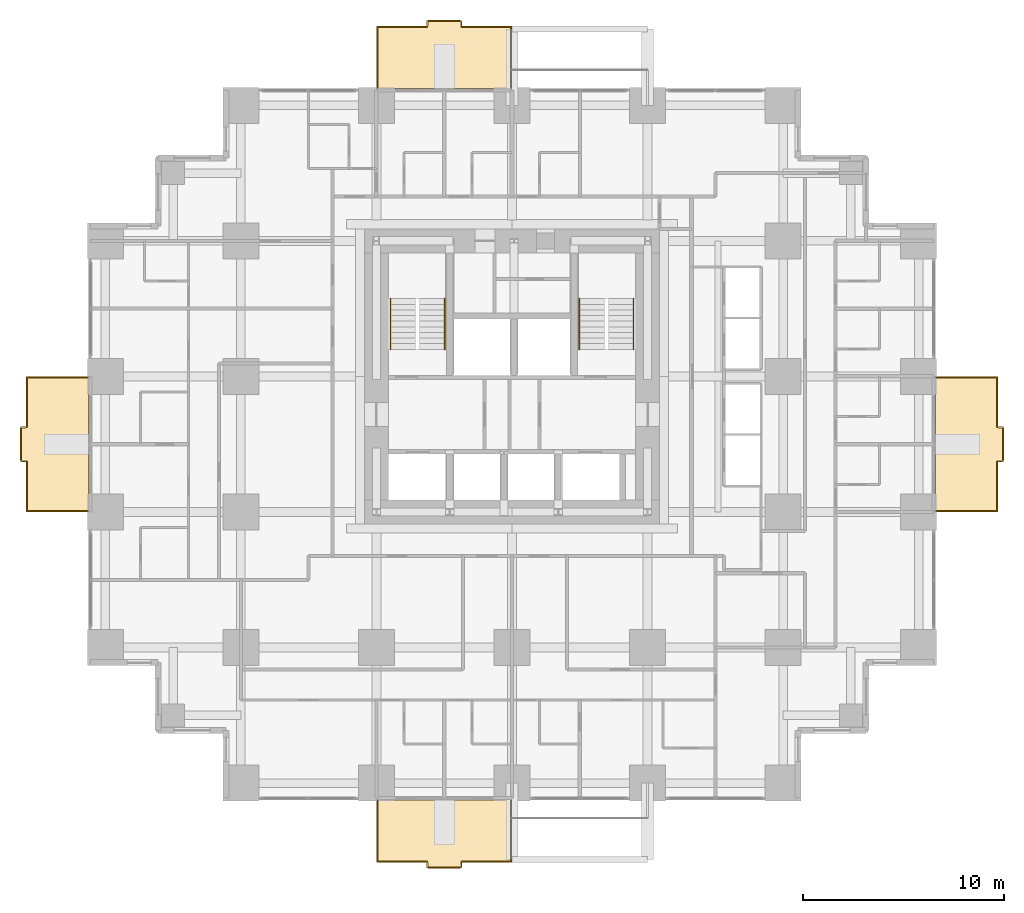
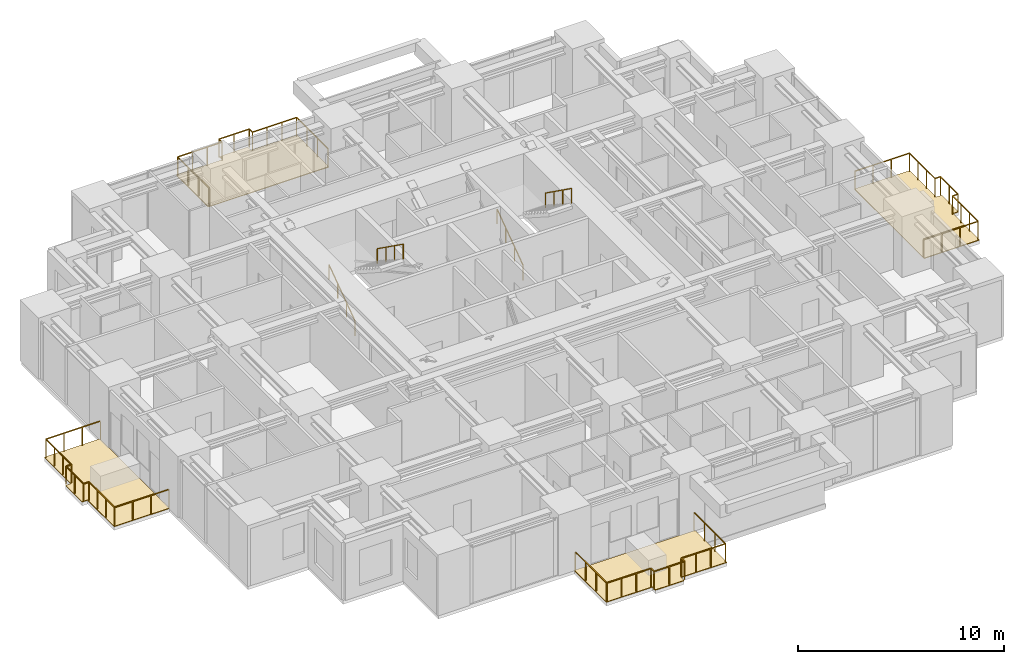
# One storey, part 13 of 13: 8 railings, 4 coverings.
"""IFC4 building model written with IfcOpenShell, lengths in metres."""

from ifc_helpers import new_model, si_unit, direction, frame, origin, origin_2d, place, context, subcontext, project, spatial, polyline, rectangle, outline, extrude, material, layer, layer_set, type_object, element, save


model = new_model("IFC4")

# Units and contexts
model_context = context("Model", 3, precision=1e-05, world=origin(), true_north=direction((0.0, 1.0)))
body_context = subcontext(model_context, "Body", "Model", "MODEL_VIEW")
ifc_project = project(units=[si_unit("LENGTHUNIT", "METRE"), si_unit("AREAUNIT", "SQUARE_METRE"), si_unit("VOLUMEUNIT", "CUBIC_METRE"), si_unit("PLANEANGLEUNIT", "RADIAN"), si_unit("MASSUNIT", "GRAM", prefix="KILO")], contexts=[model_context])

# Site, building, storey
site_placement = place(None, origin())
site = spatial("IfcSite", under=ifc_project, at=site_placement, CompositionType="ELEMENT")
building_placement = place(site_placement, origin())
building = spatial("IfcBuilding", under=site, at=building_placement, Name="Nyansa Garden Tower", CompositionType="ELEMENT")
storey_placement = place(building_placement, frame((0.0, 0.0, 101.699951171875)))
storey = spatial("IfcBuildingStorey", under=building, at=storey_placement, Name="L27", CompositionType="ELEMENT", Elevation=101.699951171875)

# Coverings
ifc_material_1 = material(Name="Hardwood decking on pedestals", Category="wood")
ifc_layer = layer(ifc_material_1, 0.0400390625)
ifc_layer_set = layer_set([ifc_layer], Name="Balcony decking DK40")
covering_type = type_object("IfcCoveringType", Name="Balcony decking DK40", PredefinedType="FLOORING", material=ifc_layer_set)
covering_1_placement = place(storey_placement, frame((0.0, 0.0, -0.0400390625)))
element("IfcCovering", 1, at=covering_1_placement, inside=storey, type_object=covering_type, Name="Balcony decking L27", PredefinedType="FLOORING", context=body_context, shape_type="SweptSolid", body=[
    extrude(outline(polyline([(13.5, -0.85009765625), (20.25, -0.85009765625), (20.25, -3.949951171875), (17.675048828125, -3.949951171875), (17.675048828125, -4.25), (16.074951171875, -4.25), (16.074951171875, -3.949951171875), (13.5, -3.949951171875), (13.5, -0.85009765625)])), origin(), (0.0, 0.0, 1.0), 0.0400390625),
])
covering_2_placement = place(storey_placement, frame((0.0, 0.0, -0.0400390625)))
element("IfcCovering", 2, at=covering_2_placement, inside=storey, type_object=covering_type, Name="Balcony decking L27", PredefinedType="FLOORING", context=body_context, shape_type="SweptSolid", body=[
    extrude(outline(polyline([(41.35009765625, 13.5), (41.35009765625, 20.25), (44.449951171875, 20.25), (44.449951171875, 17.675048828125), (44.75, 17.675048828125), (44.75, 16.074951171875), (44.449951171875, 16.074951171875), (44.449951171875, 13.5), (41.35009765625, 13.5)])), origin(), (0.0, 0.0, 1.0), 0.0400390625),
])
covering_3_placement = place(storey_placement, frame((0.0, 0.0, -0.0400390625)))
element("IfcCovering", 3, at=covering_3_placement, inside=storey, type_object=covering_type, Name="Balcony decking L27", PredefinedType="FLOORING", context=body_context, shape_type="SweptSolid", body=[
    extrude(outline(polyline([(13.5, 34.60009765625), (20.25, 34.60009765625), (20.25, 37.699951171875), (17.675048828125, 37.699951171875), (17.675048828125, 38.0), (16.074951171875, 38.0), (16.074951171875, 37.699951171875), (13.5, 37.699951171875), (13.5, 34.60009765625)])), origin(), (0.0, 0.0, 1.0), 0.0400390625),
])
covering_4_placement = place(storey_placement, frame((0.0, 0.0, -0.0400390625)))
element("IfcCovering", 4, at=covering_4_placement, inside=storey, type_object=covering_type, Name="Balcony decking L27", PredefinedType="FLOORING", context=body_context, shape_type="SweptSolid", body=[
    extrude(outline(polyline([(-0.85009765625, 13.5), (-0.85009765625, 20.25), (-3.949951171875, 20.25), (-3.949951171875, 17.675048828125), (-4.25, 17.675048828125), (-4.25, 16.074951171875), (-3.949951171875, 16.074951171875), (-3.949951171875, 13.5), (-0.85009765625, 13.5)])), origin(), (0.0, 0.0, 1.0), 0.0400390625),
])

# Railings
ifc_material_2 = material(Name="Black powder-coated steel balusters, laminated glass infill", Category="steel")
railing_type_1 = type_object("IfcRailingType", Name="Balcony guard G1", PredefinedType="GUARDRAIL", material=ifc_material_2)
railing_1_placement = place(storey_placement, frame((13.550048828125, -0.85009765625, 0.0)))
element("IfcRailing", 5, at=railing_1_placement, inside=storey, type_object=railing_type_1, Name="Balcony guard L27", PredefinedType="GUARDRAIL", context=body_context, shape_type="SweptSolid", body=[
    extrude(rectangle(XDim=0.048095703125, YDim=0.048095703125, at=origin_2d()), frame((0.0, 0.0, 1.076171875), z_axis=(0.0, -1.0, 0.0), x_axis=(1.0, 0.0, 0.0)), (0.0, 0.0, 1.0), 3.0498046875),
    extrude(rectangle(XDim=0.048095703125, YDim=0.048095703125, at=origin_2d()), frame((0.0, -3.0498046875, 1.076171875), z_axis=(1.0, 0.0, 0.0), x_axis=(0.0, 1.0, 0.0)), (0.0, 0.0, 1.0), 2.474853515625),
    extrude(rectangle(XDim=0.048095703125, YDim=0.048095703125, at=origin_2d()), frame((2.474853515625, -3.0498046875, 1.076171875), z_axis=(0.0, -1.0, 0.0), x_axis=(1.0, 0.0, 0.0)), (0.0, 0.0, 1.0), 0.300048828125),
    extrude(rectangle(XDim=0.048095703125, YDim=0.048095703125, at=origin_2d()), frame((2.474853515625, -3.349853515625, 1.076171875), z_axis=(1.0, 0.0, 0.0), x_axis=(0.0, 1.0, 0.0)), (0.0, 0.0, 1.0), 1.7001953125),
    extrude(rectangle(XDim=0.048095703125, YDim=0.048095703125, at=origin_2d()), frame((4.175048828125, -3.349853515625, 1.076171875), z_axis=(0.0, 1.0, 0.0), x_axis=(-1.0, 0.0, 0.0)), (0.0, 0.0, 1.0), 0.300048828125),
    extrude(rectangle(XDim=0.048095703125, YDim=0.048095703125, at=origin_2d()), frame((4.175048828125, -3.0498046875, 1.076171875), z_axis=(1.0, 0.0, 0.0), x_axis=(0.0, 1.0, 0.0)), (0.0, 0.0, 1.0), 2.474853515625),
    extrude(rectangle(XDim=0.048095703125, YDim=0.048095703125, at=origin_2d()), frame((6.64990234375, -3.0498046875, 1.076171875), z_axis=(0.0, 1.0, 0.0), x_axis=(-1.0, 0.0, 0.0)), (0.0, 0.0, 1.0), 3.0498046875),
    extrude(rectangle(XDim=0.0419921875, YDim=0.0419921875, at=origin_2d()), origin(), (0.0, 0.0, 1.0), 1.052001953125),
    extrude(rectangle(XDim=0.0419921875, YDim=0.0419921875, at=origin_2d()), frame((0.0, -1.0166015625, 0.0)), (0.0, 0.0, 1.0), 1.052001953125),
    extrude(rectangle(XDim=0.0419921875, YDim=0.0419921875, at=origin_2d()), frame((0.0, -2.033203125, 0.0)), (0.0, 0.0, 1.0), 1.052001953125),
    extrude(rectangle(XDim=0.0419921875, YDim=0.0419921875, at=origin_2d()), frame((0.0, -3.0498046875, 0.0)), (0.0, 0.0, 1.0), 1.052001953125),
    extrude(rectangle(XDim=0.0419921875, YDim=0.0419921875, at=origin_2d()), frame((0.824951171875, -3.0498046875, 0.0)), (0.0, 0.0, 1.0), 1.052001953125),
    extrude(rectangle(XDim=0.0419921875, YDim=0.0419921875, at=origin_2d()), frame((1.64990234375, -3.0498046875, 0.0)), (0.0, 0.0, 1.0), 1.052001953125),
    extrude(rectangle(XDim=0.0419921875, YDim=0.0419921875, at=origin_2d()), frame((2.474853515625, -3.0498046875, 0.0)), (0.0, 0.0, 1.0), 1.052001953125),
    extrude(rectangle(XDim=0.0419921875, YDim=0.0419921875, at=origin_2d()), frame((2.474853515625, -3.349853515625, 0.0)), (0.0, 0.0, 1.0), 1.052001953125),
    extrude(rectangle(XDim=0.0419921875, YDim=0.0419921875, at=origin_2d()), frame((3.324951171875, -3.349853515625, 0.0)), (0.0, 0.0, 1.0), 1.052001953125),
    extrude(rectangle(XDim=0.0419921875, YDim=0.0419921875, at=origin_2d()), frame((4.175048828125, -3.349853515625, 0.0)), (0.0, 0.0, 1.0), 1.052001953125),
    extrude(rectangle(XDim=0.0419921875, YDim=0.0419921875, at=origin_2d()), frame((4.175048828125, -3.0498046875, 0.0)), (0.0, 0.0, 1.0), 1.052001953125),
    extrude(rectangle(XDim=0.0419921875, YDim=0.0419921875, at=origin_2d()), frame((5.0, -3.0498046875, 0.0)), (0.0, 0.0, 1.0), 1.052001953125),
    extrude(rectangle(XDim=0.0419921875, YDim=0.0419921875, at=origin_2d()), frame((5.824951171875, -3.0498046875, 0.0)), (0.0, 0.0, 1.0), 1.052001953125),
    extrude(rectangle(XDim=0.0419921875, YDim=0.0419921875, at=origin_2d()), frame((6.64990234375, -3.0498046875, 0.0)), (0.0, 0.0, 1.0), 1.052001953125),
    extrude(rectangle(XDim=0.0419921875, YDim=0.0419921875, at=origin_2d()), frame((6.64990234375, -2.033203125, 0.0)), (0.0, 0.0, 1.0), 1.052001953125),
    extrude(rectangle(XDim=0.0419921875, YDim=0.0419921875, at=origin_2d()), frame((6.64990234375, -1.0166015625, 0.0)), (0.0, 0.0, 1.0), 1.052001953125),
    extrude(rectangle(XDim=0.0419921875, YDim=0.0419921875, at=origin_2d()), frame((6.64990234375, 0.0, 0.0)), (0.0, 0.0, 1.0), 1.052001953125),
])
railing_2_placement = place(storey_placement, frame((41.35009765625, 13.550048828125, 0.0)))
element("IfcRailing", 6, at=railing_2_placement, inside=storey, type_object=railing_type_1, Name="Balcony guard L27", PredefinedType="GUARDRAIL", context=body_context, shape_type="SweptSolid", body=[
    extrude(rectangle(XDim=0.048095703125, YDim=0.048095703125, at=origin_2d()), frame((0.0, 0.0, 1.076171875), z_axis=(1.0, 0.0, 0.0), x_axis=(0.0, 1.0, 0.0)), (0.0, 0.0, 1.0), 3.0498046875),
    extrude(rectangle(XDim=0.048095703125, YDim=0.048095703125, at=origin_2d()), frame((3.0498046875, 0.0, 1.076171875), z_axis=(0.0, 1.0, 0.0), x_axis=(-1.0, 0.0, 0.0)), (0.0, 0.0, 1.0), 2.474853515625),
    extrude(rectangle(XDim=0.048095703125, YDim=0.048095703125, at=origin_2d()), frame((3.0498046875, 2.474853515625, 1.076171875), z_axis=(1.0, 0.0, 0.0), x_axis=(0.0, 1.0, 0.0)), (0.0, 0.0, 1.0), 0.300048828125),
    extrude(rectangle(XDim=0.048095703125, YDim=0.048095703125, at=origin_2d()), frame((3.349853515625, 2.474853515625, 1.076171875), z_axis=(0.0, 1.0, 0.0), x_axis=(-1.0, 0.0, 0.0)), (0.0, 0.0, 1.0), 1.7001953125),
    extrude(rectangle(XDim=0.048095703125, YDim=0.048095703125, at=origin_2d()), frame((3.349853515625, 4.175048828125, 1.076171875), z_axis=(-1.0, 0.0, 0.0), x_axis=(0.0, -1.0, 0.0)), (0.0, 0.0, 1.0), 0.300048828125),
    extrude(rectangle(XDim=0.048095703125, YDim=0.048095703125, at=origin_2d()), frame((3.0498046875, 4.175048828125, 1.076171875), z_axis=(0.0, 1.0, 0.0), x_axis=(-1.0, 0.0, 0.0)), (0.0, 0.0, 1.0), 2.474853515625),
    extrude(rectangle(XDim=0.048095703125, YDim=0.048095703125, at=origin_2d()), frame((3.0498046875, 6.64990234375, 1.076171875), z_axis=(-1.0, 0.0, 0.0), x_axis=(0.0, -1.0, 0.0)), (0.0, 0.0, 1.0), 3.0498046875),
    extrude(rectangle(XDim=0.0419921875, YDim=0.0419921875, at=origin_2d()), origin(), (0.0, 0.0, 1.0), 1.052001953125),
    extrude(rectangle(XDim=0.0419921875, YDim=0.0419921875, at=origin_2d()), frame((1.0166015625, 0.0, 0.0)), (0.0, 0.0, 1.0), 1.052001953125),
    extrude(rectangle(XDim=0.0419921875, YDim=0.0419921875, at=origin_2d()), frame((2.033203125, 0.0, 0.0)), (0.0, 0.0, 1.0), 1.052001953125),
    extrude(rectangle(XDim=0.0419921875, YDim=0.0419921875, at=origin_2d()), frame((3.0498046875, 0.0, 0.0)), (0.0, 0.0, 1.0), 1.052001953125),
    extrude(rectangle(XDim=0.0419921875, YDim=0.0419921875, at=origin_2d()), frame((3.0498046875, 0.824951171875, 0.0)), (0.0, 0.0, 1.0), 1.052001953125),
    extrude(rectangle(XDim=0.0419921875, YDim=0.0419921875, at=origin_2d()), frame((3.0498046875, 1.64990234375, 0.0)), (0.0, 0.0, 1.0), 1.052001953125),
    extrude(rectangle(XDim=0.0419921875, YDim=0.0419921875, at=origin_2d()), frame((3.0498046875, 2.474853515625, 0.0)), (0.0, 0.0, 1.0), 1.052001953125),
    extrude(rectangle(XDim=0.0419921875, YDim=0.0419921875, at=origin_2d()), frame((3.349853515625, 2.474853515625, 0.0)), (0.0, 0.0, 1.0), 1.052001953125),
    extrude(rectangle(XDim=0.0419921875, YDim=0.0419921875, at=origin_2d()), frame((3.349853515625, 3.324951171875, 0.0)), (0.0, 0.0, 1.0), 1.052001953125),
    extrude(rectangle(XDim=0.0419921875, YDim=0.0419921875, at=origin_2d()), frame((3.349853515625, 4.175048828125, 0.0)), (0.0, 0.0, 1.0), 1.052001953125),
    extrude(rectangle(XDim=0.0419921875, YDim=0.0419921875, at=origin_2d()), frame((3.0498046875, 4.175048828125, 0.0)), (0.0, 0.0, 1.0), 1.052001953125),
    extrude(rectangle(XDim=0.0419921875, YDim=0.0419921875, at=origin_2d()), frame((3.0498046875, 5.0, 0.0)), (0.0, 0.0, 1.0), 1.052001953125),
    extrude(rectangle(XDim=0.0419921875, YDim=0.0419921875, at=origin_2d()), frame((3.0498046875, 5.824951171875, 0.0)), (0.0, 0.0, 1.0), 1.052001953125),
    extrude(rectangle(XDim=0.0419921875, YDim=0.0419921875, at=origin_2d()), frame((3.0498046875, 6.64990234375, 0.0)), (0.0, 0.0, 1.0), 1.052001953125),
    extrude(rectangle(XDim=0.0419921875, YDim=0.0419921875, at=origin_2d()), frame((2.033203125, 6.64990234375, 0.0)), (0.0, 0.0, 1.0), 1.052001953125),
    extrude(rectangle(XDim=0.0419921875, YDim=0.0419921875, at=origin_2d()), frame((1.0166015625, 6.64990234375, 0.0)), (0.0, 0.0, 1.0), 1.052001953125),
    extrude(rectangle(XDim=0.0419921875, YDim=0.0419921875, at=origin_2d()), frame((0.0, 6.64990234375, 0.0)), (0.0, 0.0, 1.0), 1.052001953125),
])
railing_3_placement = place(storey_placement, frame((13.550048828125, 34.60009765625, 0.0)))
element("IfcRailing", 7, at=railing_3_placement, inside=storey, type_object=railing_type_1, Name="Balcony guard L27", PredefinedType="GUARDRAIL", context=body_context, shape_type="SweptSolid", body=[
    extrude(rectangle(XDim=0.048095703125, YDim=0.048095703125, at=origin_2d()), frame((0.0, 0.0, 1.076171875), z_axis=(0.0, 1.0, 0.0), x_axis=(-1.0, 0.0, 0.0)), (0.0, 0.0, 1.0), 3.0498046875),
    extrude(rectangle(XDim=0.048095703125, YDim=0.048095703125, at=origin_2d()), frame((0.0, 3.0498046875, 1.076171875), z_axis=(1.0, 0.0, 0.0), x_axis=(0.0, 1.0, 0.0)), (0.0, 0.0, 1.0), 2.474853515625),
    extrude(rectangle(XDim=0.048095703125, YDim=0.048095703125, at=origin_2d()), frame((2.474853515625, 3.0498046875, 1.076171875), z_axis=(0.0, 1.0, 0.0), x_axis=(-1.0, 0.0, 0.0)), (0.0, 0.0, 1.0), 0.300048828125),
    extrude(rectangle(XDim=0.048095703125, YDim=0.048095703125, at=origin_2d()), frame((2.474853515625, 3.349853515625, 1.076171875), z_axis=(1.0, 0.0, 0.0), x_axis=(0.0, 1.0, 0.0)), (0.0, 0.0, 1.0), 1.7001953125),
    extrude(rectangle(XDim=0.048095703125, YDim=0.048095703125, at=origin_2d()), frame((4.175048828125, 3.349853515625, 1.076171875), z_axis=(0.0, -1.0, 0.0), x_axis=(1.0, 0.0, 0.0)), (0.0, 0.0, 1.0), 0.300048828125),
    extrude(rectangle(XDim=0.048095703125, YDim=0.048095703125, at=origin_2d()), frame((4.175048828125, 3.0498046875, 1.076171875), z_axis=(1.0, 0.0, 0.0), x_axis=(0.0, 1.0, 0.0)), (0.0, 0.0, 1.0), 2.474853515625),
    extrude(rectangle(XDim=0.048095703125, YDim=0.048095703125, at=origin_2d()), frame((6.64990234375, 3.0498046875, 1.076171875), z_axis=(0.0, -1.0, 0.0), x_axis=(1.0, 0.0, 0.0)), (0.0, 0.0, 1.0), 3.0498046875),
    extrude(rectangle(XDim=0.0419921875, YDim=0.0419921875, at=origin_2d()), origin(), (0.0, 0.0, 1.0), 1.052001953125),
    extrude(rectangle(XDim=0.0419921875, YDim=0.0419921875, at=origin_2d()), frame((0.0, 1.0166015625, 0.0)), (0.0, 0.0, 1.0), 1.052001953125),
    extrude(rectangle(XDim=0.0419921875, YDim=0.0419921875, at=origin_2d()), frame((0.0, 2.033203125, 0.0)), (0.0, 0.0, 1.0), 1.052001953125),
    extrude(rectangle(XDim=0.0419921875, YDim=0.0419921875, at=origin_2d()), frame((0.0, 3.0498046875, 0.0)), (0.0, 0.0, 1.0), 1.052001953125),
    extrude(rectangle(XDim=0.0419921875, YDim=0.0419921875, at=origin_2d()), frame((0.824951171875, 3.0498046875, 0.0)), (0.0, 0.0, 1.0), 1.052001953125),
    extrude(rectangle(XDim=0.0419921875, YDim=0.0419921875, at=origin_2d()), frame((1.64990234375, 3.0498046875, 0.0)), (0.0, 0.0, 1.0), 1.052001953125),
    extrude(rectangle(XDim=0.0419921875, YDim=0.0419921875, at=origin_2d()), frame((2.474853515625, 3.0498046875, 0.0)), (0.0, 0.0, 1.0), 1.052001953125),
    extrude(rectangle(XDim=0.0419921875, YDim=0.0419921875, at=origin_2d()), frame((2.474853515625, 3.349853515625, 0.0)), (0.0, 0.0, 1.0), 1.052001953125),
    extrude(rectangle(XDim=0.0419921875, YDim=0.0419921875, at=origin_2d()), frame((3.324951171875, 3.349853515625, 0.0)), (0.0, 0.0, 1.0), 1.052001953125),
    extrude(rectangle(XDim=0.0419921875, YDim=0.0419921875, at=origin_2d()), frame((4.175048828125, 3.349853515625, 0.0)), (0.0, 0.0, 1.0), 1.052001953125),
    extrude(rectangle(XDim=0.0419921875, YDim=0.0419921875, at=origin_2d()), frame((4.175048828125, 3.0498046875, 0.0)), (0.0, 0.0, 1.0), 1.052001953125),
    extrude(rectangle(XDim=0.0419921875, YDim=0.0419921875, at=origin_2d()), frame((5.0, 3.0498046875, 0.0)), (0.0, 0.0, 1.0), 1.052001953125),
    extrude(rectangle(XDim=0.0419921875, YDim=0.0419921875, at=origin_2d()), frame((5.824951171875, 3.0498046875, 0.0)), (0.0, 0.0, 1.0), 1.052001953125),
    extrude(rectangle(XDim=0.0419921875, YDim=0.0419921875, at=origin_2d()), frame((6.64990234375, 3.0498046875, 0.0)), (0.0, 0.0, 1.0), 1.052001953125),
    extrude(rectangle(XDim=0.0419921875, YDim=0.0419921875, at=origin_2d()), frame((6.64990234375, 2.033203125, 0.0)), (0.0, 0.0, 1.0), 1.052001953125),
    extrude(rectangle(XDim=0.0419921875, YDim=0.0419921875, at=origin_2d()), frame((6.64990234375, 1.0166015625, 0.0)), (0.0, 0.0, 1.0), 1.052001953125),
    extrude(rectangle(XDim=0.0419921875, YDim=0.0419921875, at=origin_2d()), frame((6.64990234375, 0.0, 0.0)), (0.0, 0.0, 1.0), 1.052001953125),
])
railing_4_placement = place(storey_placement, frame((-0.85009765625, 13.550048828125, 0.0)))
element("IfcRailing", 8, at=railing_4_placement, inside=storey, type_object=railing_type_1, Name="Balcony guard L27", PredefinedType="GUARDRAIL", context=body_context, shape_type="SweptSolid", body=[
    extrude(rectangle(XDim=0.048095703125, YDim=0.048095703125, at=origin_2d()), frame((0.0, 0.0, 1.076171875), z_axis=(-1.0, 0.0, 0.0), x_axis=(0.0, -1.0, 0.0)), (0.0, 0.0, 1.0), 3.0498046875),
    extrude(rectangle(XDim=0.048095703125, YDim=0.048095703125, at=origin_2d()), frame((-3.0498046875, 0.0, 1.076171875), z_axis=(0.0, 1.0, 0.0), x_axis=(-1.0, 0.0, 0.0)), (0.0, 0.0, 1.0), 2.474853515625),
    extrude(rectangle(XDim=0.048095703125, YDim=0.048095703125, at=origin_2d()), frame((-3.0498046875, 2.474853515625, 1.076171875), z_axis=(-1.0, 0.0, 0.0), x_axis=(0.0, -1.0, 0.0)), (0.0, 0.0, 1.0), 0.300048828125),
    extrude(rectangle(XDim=0.048095703125, YDim=0.048095703125, at=origin_2d()), frame((-3.349853515625, 2.474853515625, 1.076171875), z_axis=(0.0, 1.0, 0.0), x_axis=(-1.0, 0.0, 0.0)), (0.0, 0.0, 1.0), 1.7001953125),
    extrude(rectangle(XDim=0.048095703125, YDim=0.048095703125, at=origin_2d()), frame((-3.349853515625, 4.175048828125, 1.076171875), z_axis=(1.0, 0.0, 0.0), x_axis=(0.0, 1.0, 0.0)), (0.0, 0.0, 1.0), 0.300048828125),
    extrude(rectangle(XDim=0.048095703125, YDim=0.048095703125, at=origin_2d()), frame((-3.0498046875, 4.175048828125, 1.076171875), z_axis=(0.0, 1.0, 0.0), x_axis=(-1.0, 0.0, 0.0)), (0.0, 0.0, 1.0), 2.474853515625),
    extrude(rectangle(XDim=0.048095703125, YDim=0.048095703125, at=origin_2d()), frame((-3.0498046875, 6.64990234375, 1.076171875), z_axis=(1.0, 0.0, 0.0), x_axis=(0.0, 1.0, 0.0)), (0.0, 0.0, 1.0), 3.0498046875),
    extrude(rectangle(XDim=0.0419921875, YDim=0.0419921875, at=origin_2d()), origin(), (0.0, 0.0, 1.0), 1.052001953125),
    extrude(rectangle(XDim=0.0419921875, YDim=0.0419921875, at=origin_2d()), frame((-1.0166015625, 0.0, 0.0)), (0.0, 0.0, 1.0), 1.052001953125),
    extrude(rectangle(XDim=0.0419921875, YDim=0.0419921875, at=origin_2d()), frame((-2.033203125, 0.0, 0.0)), (0.0, 0.0, 1.0), 1.052001953125),
    extrude(rectangle(XDim=0.0419921875, YDim=0.0419921875, at=origin_2d()), frame((-3.0498046875, 0.0, 0.0)), (0.0, 0.0, 1.0), 1.052001953125),
    extrude(rectangle(XDim=0.0419921875, YDim=0.0419921875, at=origin_2d()), frame((-3.0498046875, 0.824951171875, 0.0)), (0.0, 0.0, 1.0), 1.052001953125),
    extrude(rectangle(XDim=0.0419921875, YDim=0.0419921875, at=origin_2d()), frame((-3.0498046875, 1.64990234375, 0.0)), (0.0, 0.0, 1.0), 1.052001953125),
    extrude(rectangle(XDim=0.0419921875, YDim=0.0419921875, at=origin_2d()), frame((-3.0498046875, 2.474853515625, 0.0)), (0.0, 0.0, 1.0), 1.052001953125),
    extrude(rectangle(XDim=0.0419921875, YDim=0.0419921875, at=origin_2d()), frame((-3.349853515625, 2.474853515625, 0.0)), (0.0, 0.0, 1.0), 1.052001953125),
    extrude(rectangle(XDim=0.0419921875, YDim=0.0419921875, at=origin_2d()), frame((-3.349853515625, 3.324951171875, 0.0)), (0.0, 0.0, 1.0), 1.052001953125),
    extrude(rectangle(XDim=0.0419921875, YDim=0.0419921875, at=origin_2d()), frame((-3.349853515625, 4.175048828125, 0.0)), (0.0, 0.0, 1.0), 1.052001953125),
    extrude(rectangle(XDim=0.0419921875, YDim=0.0419921875, at=origin_2d()), frame((-3.0498046875, 4.175048828125, 0.0)), (0.0, 0.0, 1.0), 1.052001953125),
    extrude(rectangle(XDim=0.0419921875, YDim=0.0419921875, at=origin_2d()), frame((-3.0498046875, 5.0, 0.0)), (0.0, 0.0, 1.0), 1.052001953125),
    extrude(rectangle(XDim=0.0419921875, YDim=0.0419921875, at=origin_2d()), frame((-3.0498046875, 5.824951171875, 0.0)), (0.0, 0.0, 1.0), 1.052001953125),
    extrude(rectangle(XDim=0.0419921875, YDim=0.0419921875, at=origin_2d()), frame((-3.0498046875, 6.64990234375, 0.0)), (0.0, 0.0, 1.0), 1.052001953125),
    extrude(rectangle(XDim=0.0419921875, YDim=0.0419921875, at=origin_2d()), frame((-2.033203125, 6.64990234375, 0.0)), (0.0, 0.0, 1.0), 1.052001953125),
    extrude(rectangle(XDim=0.0419921875, YDim=0.0419921875, at=origin_2d()), frame((-1.0166015625, 6.64990234375, 0.0)), (0.0, 0.0, 1.0), 1.052001953125),
    extrude(rectangle(XDim=0.0419921875, YDim=0.0419921875, at=origin_2d()), frame((0.0, 6.64990234375, 0.0)), (0.0, 0.0, 1.0), 1.052001953125),
])
ifc_material_3 = material(Name="Black powder-coated steel tube 48 mm", Category="steel")
railing_type_2 = type_object("IfcRailingType", Name="Stair handrail HR1", PredefinedType="HANDRAIL", material=ifc_material_3)
railing_5_placement = place(storey_placement, frame((14.199951171875, 21.60009765625, 0.0)))
element("IfcRailing", 9, at=railing_5_placement, inside=storey, type_object=railing_type_2, Name="Stair S1 handrail L27", PredefinedType="HANDRAIL", context=body_context, shape_type="SweptSolid", body=[
    extrude(rectangle(XDim=0.048095703125, YDim=0.048095703125, at=origin_2d()), frame((0.0, 0.0, 0.8759765625), z_axis=(0.0, 0.813728144527, 0.581245650998), x_axis=(-1.0, 0.0, 0.0)), (0.0, 0.0, 1.0), 3.096923828125),
    extrude(rectangle(XDim=0.0419921875, YDim=0.0419921875, at=origin_2d()), origin(), (0.0, 0.0, 1.0), 0.851806640625),
    extrude(rectangle(XDim=0.0419921875, YDim=0.0419921875, at=origin_2d()), frame((0.0, 0.840087890625, 0.60009765625)), (0.0, 0.0, 1.0), 0.851806640625),
    extrude(rectangle(XDim=0.0419921875, YDim=0.0419921875, at=origin_2d()), frame((0.0, 1.679931640625, 1.199951171875)), (0.0, 0.0, 1.0), 0.851806640625),
    extrude(rectangle(XDim=0.0419921875, YDim=0.0419921875, at=origin_2d()), frame((0.0, 2.52001953125, 1.800048828125)), (0.0, 0.0, 1.0), 0.851806640625),
])
railing_6_placement = place(storey_placement, frame((16.89990234375, 24.1201171875, 1.800048828125)))
element("IfcRailing", 10, at=railing_6_placement, inside=storey, type_object=railing_type_2, Name="Stair S1 handrail L27", PredefinedType="HANDRAIL", context=body_context, shape_type="SweptSolid", body=[
    extrude(rectangle(XDim=0.048095703125, YDim=0.048095703125, at=origin_2d()), frame((0.0, 0.0, 0.8759765625), z_axis=(0.0, -0.813728144527, 0.581245650998), x_axis=(1.0, 0.0, 0.0)), (0.0, 0.0, 1.0), 3.096923828125),
    extrude(rectangle(XDim=0.0419921875, YDim=0.0419921875, at=origin_2d()), origin(), (0.0, 0.0, 1.0), 0.851806640625),
    extrude(rectangle(XDim=0.0419921875, YDim=0.0419921875, at=origin_2d()), frame((0.0, -0.840087890625, 0.60009765625)), (0.0, 0.0, 1.0), 0.851806640625),
    extrude(rectangle(XDim=0.0419921875, YDim=0.0419921875, at=origin_2d()), frame((0.0, -1.679931640625, 1.199951171875)), (0.0, 0.0, 1.0), 0.851806640625),
    extrude(rectangle(XDim=0.0419921875, YDim=0.0419921875, at=origin_2d()), frame((0.0, -2.52001953125, 1.800048828125)), (0.0, 0.0, 1.0), 0.851806640625),
])
railing_7_placement = place(storey_placement, frame((23.60009765625, 21.60009765625, 0.0)))
element("IfcRailing", 11, at=railing_7_placement, inside=storey, type_object=railing_type_2, Name="Stair S2 handrail L27", PredefinedType="HANDRAIL", context=body_context, shape_type="SweptSolid", body=[
    extrude(rectangle(XDim=0.048095703125, YDim=0.048095703125, at=origin_2d()), frame((0.0, 0.0, 0.8759765625), z_axis=(0.0, 0.813728144527, 0.581245650998), x_axis=(-1.0, 0.0, 0.0)), (0.0, 0.0, 1.0), 3.096923828125),
    extrude(rectangle(XDim=0.0419921875, YDim=0.0419921875, at=origin_2d()), origin(), (0.0, 0.0, 1.0), 0.851806640625),
    extrude(rectangle(XDim=0.0419921875, YDim=0.0419921875, at=origin_2d()), frame((0.0, 0.840087890625, 0.60009765625)), (0.0, 0.0, 1.0), 0.851806640625),
    extrude(rectangle(XDim=0.0419921875, YDim=0.0419921875, at=origin_2d()), frame((0.0, 1.679931640625, 1.199951171875)), (0.0, 0.0, 1.0), 0.851806640625),
    extrude(rectangle(XDim=0.0419921875, YDim=0.0419921875, at=origin_2d()), frame((0.0, 2.52001953125, 1.800048828125)), (0.0, 0.0, 1.0), 0.851806640625),
])
railing_8_placement = place(storey_placement, frame((26.300048828125, 24.1201171875, 1.800048828125)))
element("IfcRailing", 12, at=railing_8_placement, inside=storey, type_object=railing_type_2, Name="Stair S2 handrail L27", PredefinedType="HANDRAIL", context=body_context, shape_type="SweptSolid", body=[
    extrude(rectangle(XDim=0.048095703125, YDim=0.048095703125, at=origin_2d()), frame((0.0, 0.0, 0.8759765625), z_axis=(0.0, -0.813728144527, 0.581245650998), x_axis=(1.0, 0.0, 0.0)), (0.0, 0.0, 1.0), 3.096923828125),
    extrude(rectangle(XDim=0.0419921875, YDim=0.0419921875, at=origin_2d()), origin(), (0.0, 0.0, 1.0), 0.851806640625),
    extrude(rectangle(XDim=0.0419921875, YDim=0.0419921875, at=origin_2d()), frame((0.0, -0.840087890625, 0.60009765625)), (0.0, 0.0, 1.0), 0.851806640625),
    extrude(rectangle(XDim=0.0419921875, YDim=0.0419921875, at=origin_2d()), frame((0.0, -1.679931640625, 1.199951171875)), (0.0, 0.0, 1.0), 0.851806640625),
    extrude(rectangle(XDim=0.0419921875, YDim=0.0419921875, at=origin_2d()), frame((0.0, -2.52001953125, 1.800048828125)), (0.0, 0.0, 1.0), 0.851806640625),
])

save(model, "model.ifc")
